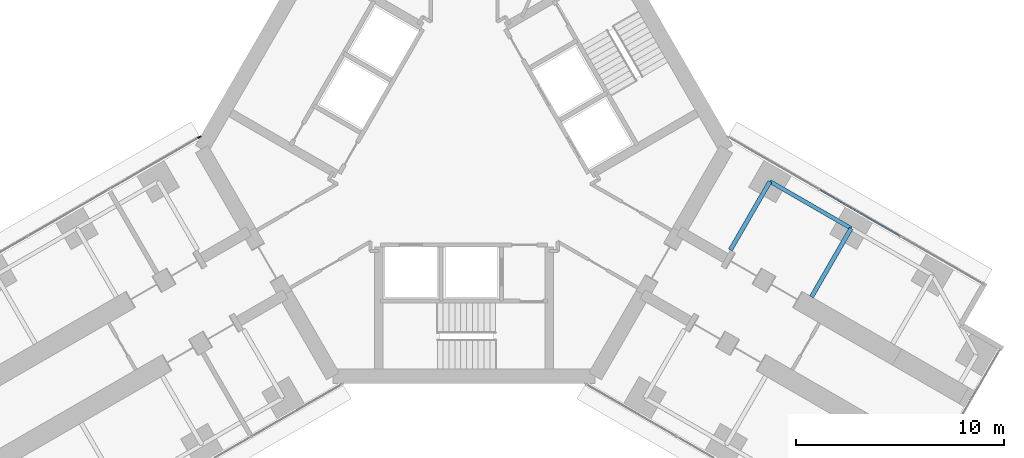
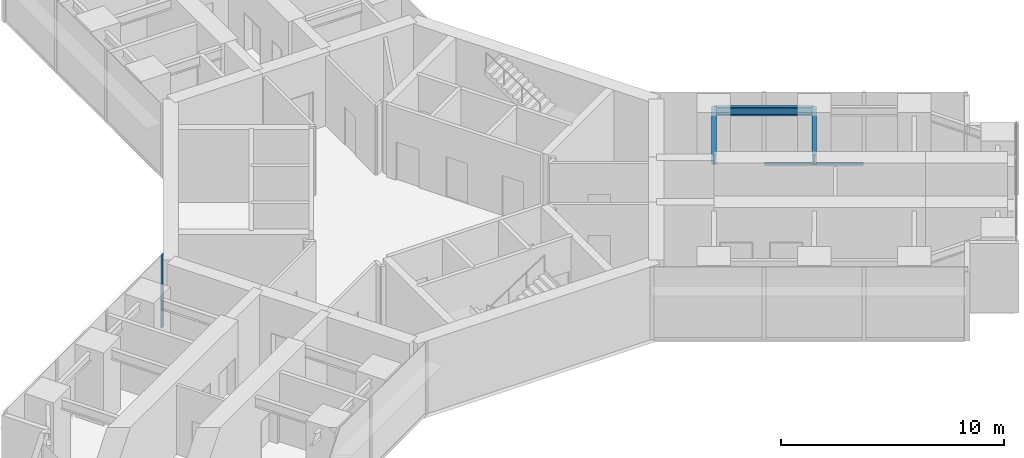
# One storey, part 10 of 23: 3 beams, 2 members, 2 elements without a shape of their own.
"""IFC4 building model written with IfcOpenShell, lengths in metres."""

from ifc_helpers import new_model, si_unit, direction, frame, origin, origin_2d, place, context, subcontext, project, spatial, rectangle, i_section, extrude, material, material_profile, profile_set, type_object, element, aggregate, save


model = new_model("IFC4")

# Units and contexts
model_context = context("Model", 3, precision=1e-05, world=origin(), true_north=direction((0.0, 1.0)))
body_context = subcontext(model_context, "Body", "Model", "MODEL_VIEW")
ifc_project = project(units=[si_unit("LENGTHUNIT", "METRE"), si_unit("AREAUNIT", "SQUARE_METRE"), si_unit("VOLUMEUNIT", "CUBIC_METRE"), si_unit("PLANEANGLEUNIT", "RADIAN"), si_unit("MASSUNIT", "GRAM", prefix="KILO")], contexts=[model_context])

# Site, building, storey
site_placement = place(None, origin())
site = spatial("IfcSite", under=ifc_project, at=site_placement, CompositionType="ELEMENT")
building_placement = place(site_placement, origin())
building = spatial("IfcBuilding", under=site, at=building_placement, Name="Upepo Twin Towers", CompositionType="ELEMENT")
storey_placement = place(building_placement, frame((0.0, 0.0, 24.5)))
storey = spatial("IfcBuildingStorey", under=building, at=storey_placement, Name="L05", CompositionType="ELEMENT", Elevation=24.5)

# Beams
ifc_material_1 = material(Name="Steel S355", Category="steel")
ifc_material_profile_1 = material_profile(ifc_material_1, i_section(OverallWidth=0.1904296875, OverallDepth=0.45703125, WebThickness=0.009033203125, FlangeThickness=0.014404296875, FilletRadius=0.01025390625, at=origin_2d()), Name="UB 457x191x74")
ifc_profile_set_1 = profile_set([ifc_material_profile_1], Name="Steel S355")
beam_type_1 = type_object("IfcBeamType", Name="Beam UB 457x191x74", PredefinedType="BEAM", material=ifc_profile_set_1)
beam_1_placement = place(storey_placement, frame((73.19140625, -19.553955078125, 3.571533203125), z_axis=(0.866017533419, -0.500013631625, 0.0), x_axis=(0.500013631625, 0.866017533419, 0.0)))
element("IfcBeam", 1, at=beam_1_placement, inside=storey, type_object=beam_type_1, Name="T2 edge beam CL 13.5-18.0", PredefinedType="BEAM", context=body_context, shape_type="SweptSolid", body=[
    extrude(i_section(OverallWidth=0.1904296875, OverallDepth=0.45703125, WebThickness=0.009033203125, FlangeThickness=0.014404296875, FilletRadius=0.01025390625, at=origin_2d()), origin(), (0.0, 0.0, 1.0), 4.499755859375),
])
ifc_material_2 = material(Name="Steel S355", Category="steel")
ifc_material_profile_2 = material_profile(ifc_material_2, i_section(OverallWidth=0.209228515625, OverallDepth=0.533203125, WebThickness=0.010009765625, FlangeThickness=0.015625, FilletRadius=0.0126953125, at=origin_2d()), Name="UB 533x210x92")
ifc_profile_set_2 = profile_set([ifc_material_profile_2], Name="Steel S355")
beam_type_2 = type_object("IfcBeamType", Name="Beam UB 533x210x92", PredefinedType="BEAM", material=ifc_profile_set_2)
beam_2_placement = place(storey_placement, frame((73.19140625, -19.553955078125, 3.533447265625), z_axis=(-0.500043160704, -0.866000483506, 0.0), x_axis=(0.866000483506, -0.500043160704, 0.0)))
element("IfcBeam", 2, at=beam_2_placement, inside=storey, type_object=beam_type_2, Name="T2 girder CL at 13.5", PredefinedType="BEAM", context=body_context, shape_type="SweptSolid", body=[
    extrude(i_section(OverallWidth=0.209228515625, OverallDepth=0.533203125, WebThickness=0.010009765625, FlangeThickness=0.015625, FilletRadius=0.0126953125, at=origin_2d()), origin(), (0.0, 0.0, 1.0), 3.800048828125),
])
beam_3_placement = place(storey_placement, frame((77.08837890625, -21.803955078125, 3.533447265625), z_axis=(-0.499994975061, -0.866028304915, 0.0), x_axis=(0.866028304915, -0.499994975061, 0.0)))
element("IfcBeam", 3, at=beam_3_placement, inside=storey, type_object=beam_type_2, Name="T2 girder CL at 18.0", PredefinedType="BEAM", context=body_context, shape_type="SweptSolid", body=[
    extrude(i_section(OverallWidth=0.209228515625, OverallDepth=0.533203125, WebThickness=0.010009765625, FlangeThickness=0.015625, FilletRadius=0.0126953125, at=origin_2d()), origin(), (0.0, 0.0, 1.0), 3.7998046875),
])

# Curtain wall, member
ifc_material_3 = material(Name="Aluminium and fritted glass", Category="aluminium")
curtain_wall_type = type_object("IfcCurtainWallType", Name="Tower curtain wall TW1, fritted glass", PredefinedType="NOTDEFINED", material=ifc_material_3)
curtain_wall_1_placement = place(storey_placement, origin())
curtain_wall_1 = element("IfcCurtainWall", 4, at=curtain_wall_1_placement, inside=storey, type_object=curtain_wall_type, Name="T2 L05 wing B flank R curtain wall", PredefinedType="NOTDEFINED")
ifc_material_4 = material(Name="Aluminium mullion", Category="aluminium")
ifc_material_profile_3 = material_profile(ifc_material_4, rectangle(XDim=0.06494140625, YDim=0.179931640625, at=origin_2d()), Name="MULLION 65x180")
ifc_profile_set_3 = profile_set([ifc_material_profile_3], Name="Aluminium mullion")
member_type_1 = type_object("IfcMemberType", Name="Mullion 65x180 TW1", PredefinedType="MULLION", material=ifc_profile_set_3)
member_1_placement = place(storey_placement, frame((45.79150390625, -17.427490234375, 0.0), z_axis=(0.0, 0.0, 1.0), x_axis=(-0.500000024426, 0.866025389682, 0.0)))
member_1 = element("IfcMember", 5, at=member_1_placement, type_object=member_type_1, Name="T2 L05 wing B flank R curtain wall mullion 4", PredefinedType="MULLION", context=body_context, shape_type="SweptSolid", body=[
    extrude(rectangle(XDim=0.06494140625, YDim=0.179931640625, at=origin_2d()), origin(), (0.0, 0.0, 1.0), 4.0),
])
aggregate(curtain_wall_1, [member_1])

curtain_wall_2_placement = place(storey_placement, origin())
curtain_wall_2 = element("IfcCurtainWall", 6, at=curtain_wall_2_placement, inside=storey, type_object=curtain_wall_type, Name="T2 L05 wing C flank L curtain wall", PredefinedType="NOTDEFINED")
ifc_material_5 = material(Name="Aluminium transom", Category="aluminium")
ifc_material_profile_4 = material_profile(ifc_material_5, rectangle(XDim=0.06494140625, YDim=0.14990234375, at=origin_2d()), Name="TRANSOM 65x150")
ifc_profile_set_4 = profile_set([ifc_material_profile_4], Name="Aluminium transom")
member_type_2 = type_object("IfcMemberType", Name="Transom 65x150 TW1", PredefinedType="USERDEFINED", material=ifc_profile_set_4)
member_2_placement = place(storey_placement, frame((75.593017578125, -19.958984375, 0.074951171875), z_axis=(0.866022410713, -0.500005184116, 0.0), x_axis=(0.500005184116, 0.866022410713, 0.0)))
member_2 = element("IfcMember", 7, at=member_2_placement, type_object=member_type_2, Name="T2 L05 wing C flank L curtain wall transom 2", ObjectType="TRANSOM", PredefinedType="USERDEFINED", context=body_context, shape_type="SweptSolid", body=[
    extrude(rectangle(XDim=0.06494140625, YDim=0.14990234375, at=origin_2d()), origin(), (0.0, 0.0, 1.0), 4.43505859375),
])
aggregate(curtain_wall_2, [member_2])

save(model, "model.ifc")
